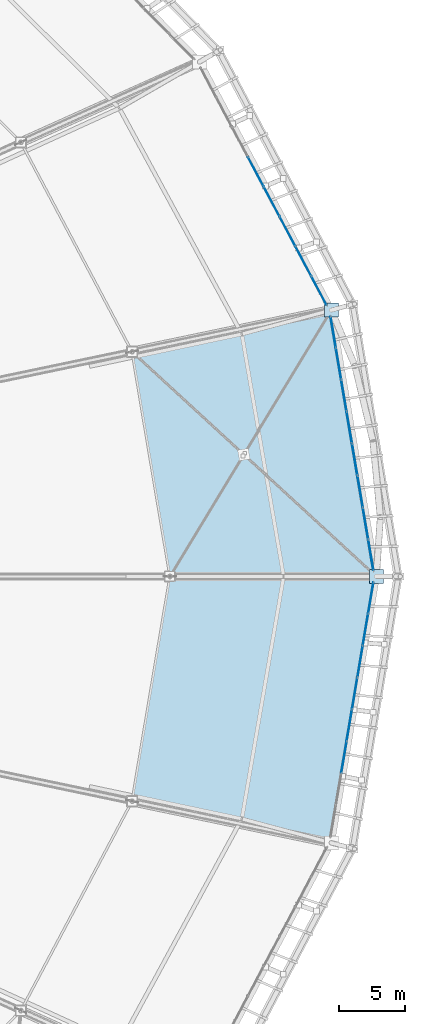
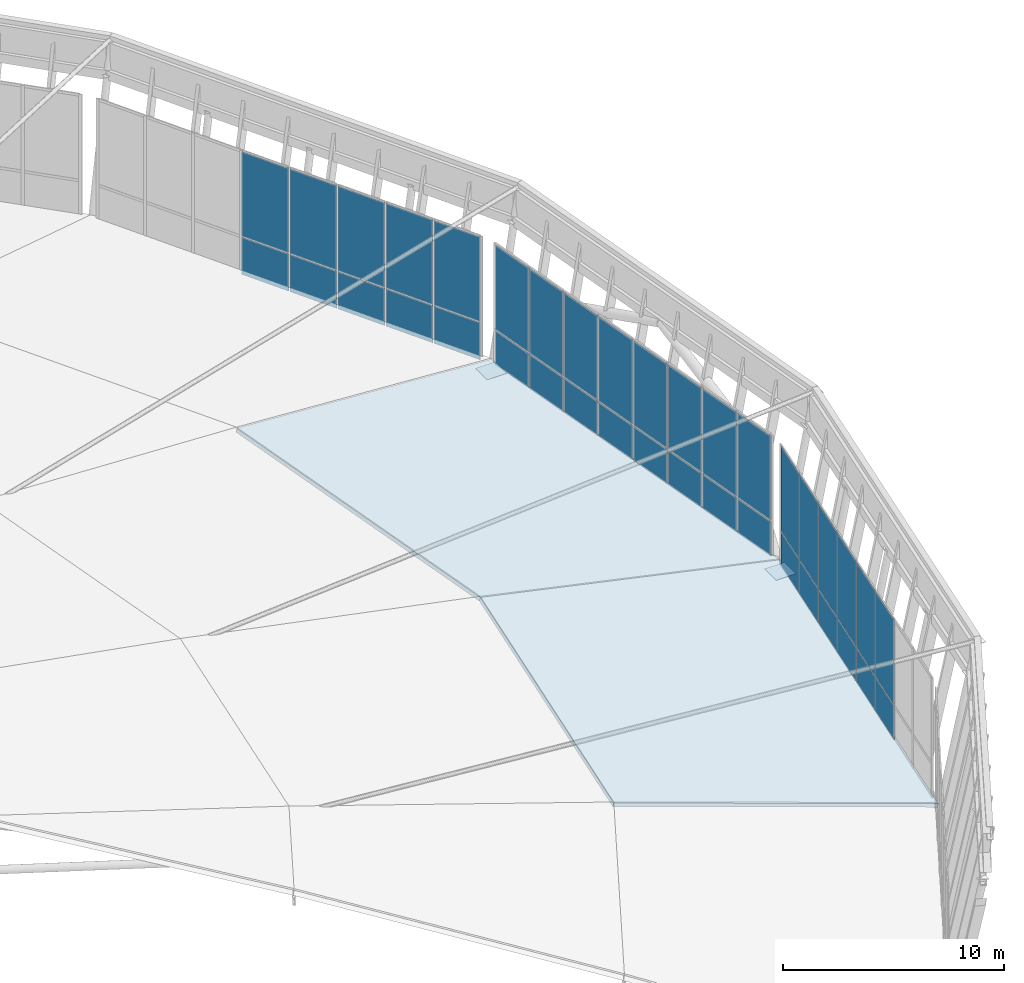
# One storey, part 95 of 115: 40 plates, 2 slabs, 5 elements without a shape of their own.
"""IFC4 building model written with IfcOpenShell, lengths in metres."""

from ifc_helpers import new_model, si_unit, direction, frame, origin, origin_2d, place, context, subcontext, project, spatial, polyline, rectangle, outline, extrude, material, layer, layer_set, type_object, element, aggregate, save


model = new_model("IFC4")

# Units and contexts
model_context = context("Model", 3, precision=1e-05, world=origin(), true_north=direction((0.0, 1.0)))
body_context = subcontext(model_context, "Body", "Model", "MODEL_VIEW")
ifc_project = project(units=[si_unit("LENGTHUNIT", "METRE"), si_unit("AREAUNIT", "SQUARE_METRE"), si_unit("VOLUMEUNIT", "CUBIC_METRE"), si_unit("PLANEANGLEUNIT", "RADIAN"), si_unit("MASSUNIT", "GRAM", prefix="KILO")], contexts=[model_context])

# Site, building, storey
site_placement = place(None, origin())
site = spatial("IfcSite", under=ifc_project, at=site_placement, CompositionType="ELEMENT")
building_placement = place(site_placement, origin())
building = spatial("IfcBuilding", under=site, at=building_placement, Name="Zlatoyarsky Gate Stadium", CompositionType="ELEMENT")
storey_placement = place(building_placement, frame((0.0, 0.0, 31.800048828125)))
storey = spatial("IfcBuildingStorey", under=building, at=storey_placement, Name="RF", CompositionType="ELEMENT", Elevation=31.800048828125)

# Curtain wall, plates
ifc_material_1 = material(Name="Thermally broken anodised aluminium curtain wall", Category="aluminium")
curtain_wall_type_1 = type_object("IfcCurtainWallType", Name="MONUMENTAL ARCHED GATE GLAZING UPPER", PredefinedType="USERDEFINED", material=ifc_material_1)
curtain_wall_1_placement = place(storey_placement, origin())
curtain_wall_1 = element("IfcCurtainWall", 1, at=curtain_wall_1_placement, inside=storey, type_object=curtain_wall_type_1, Name="Curtain wall CW-RF-00", ObjectType="ARCHED GATE GLAZING", PredefinedType="USERDEFINED")
ifc_material_2 = material(Name="Triple-glazed argon low-e architectural glass", Category="glass")
ifc_layer_1 = layer(ifc_material_2, 0.0458984375)
ifc_layer_set_1 = layer_set([ifc_layer_1], Name="Triple-glazed argon low-e architectural glass")
plate_type_1 = type_object("IfcPlateType", Name="ACOUSTIC LAMINATED GATE GLAZING PANEL 46", PredefinedType="CURTAIN_PANEL", material=ifc_layer_set_1)
plate_1_placement = place(storey_placement, frame((210.613525390625, 81.62353515625, 0.074951171875), z_axis=(0.0, 0.0, 1.0), x_axis=(-0.166482179311, 0.986044463486, 0.0)))
plate_1 = element("IfcPlate", 2, at=plate_1_placement, type_object=plate_type_1, Name="CW-AG2 panel 1.1", PredefinedType="CURTAIN_PANEL", context=body_context, shape_type="SweptSolid", body=[
    extrude(rectangle(XDim=2.343017578125, YDim=0.0458984375, at=origin_2d()), origin(), (0.0, 0.0, 1.0), 2.03759765625),
])
plate_2_placement = place(storey_placement, frame((210.613525390625, 81.62353515625, 2.1875), z_axis=(0.0, 0.0, 1.0), x_axis=(-0.166482179311, 0.986044463486, 0.0)))
plate_2 = element("IfcPlate", 3, at=plate_2_placement, type_object=plate_type_1, Name="CW-AG2 panel 1.2", PredefinedType="CURTAIN_PANEL", context=body_context, shape_type="SweptSolid", body=[
    extrude(rectangle(XDim=2.343017578125, YDim=0.0458984375, at=origin_2d()), origin(), (0.0, 0.0, 1.0), 4.637451171875),
])
plate_3_placement = place(storey_placement, frame((210.207763671875, 84.0263671875, 0.074951171875), z_axis=(0.0, 0.0, 1.0), x_axis=(-0.166482179311, 0.986044463486, 0.0)))
plate_3 = element("IfcPlate", 4, at=plate_3_placement, type_object=plate_type_1, Name="CW-AG2 panel 2.1", PredefinedType="CURTAIN_PANEL", context=body_context, shape_type="SweptSolid", body=[
    extrude(rectangle(XDim=2.380615234375, YDim=0.0458984375, at=origin_2d()), origin(), (0.0, 0.0, 1.0), 2.03759765625),
])
plate_4_placement = place(storey_placement, frame((210.207763671875, 84.0263671875, 2.1875), z_axis=(0.0, 0.0, 1.0), x_axis=(-0.166482179311, 0.986044463486, 0.0)))
plate_4 = element("IfcPlate", 5, at=plate_4_placement, type_object=plate_type_1, Name="CW-AG2 panel 2.2", PredefinedType="CURTAIN_PANEL", context=body_context, shape_type="SweptSolid", body=[
    extrude(rectangle(XDim=2.380615234375, YDim=0.0458984375, at=origin_2d()), origin(), (0.0, 0.0, 1.0), 4.637451171875),
])
plate_5_placement = place(storey_placement, frame((209.799072265625, 86.447509765625, 0.074951171875), z_axis=(0.0, 0.0, 1.0), x_axis=(-0.166482179311, 0.986044463486, 0.0)))
plate_5 = element("IfcPlate", 6, at=plate_5_placement, type_object=plate_type_1, Name="CW-AG2 panel 3.1", PredefinedType="CURTAIN_PANEL", context=body_context, shape_type="SweptSolid", body=[
    extrude(rectangle(XDim=2.380615234375, YDim=0.0458984375, at=origin_2d()), origin(), (0.0, 0.0, 1.0), 2.03759765625),
])
plate_6_placement = place(storey_placement, frame((209.799072265625, 86.447509765625, 2.1875), z_axis=(0.0, 0.0, 1.0), x_axis=(-0.166482179311, 0.986044463486, 0.0)))
plate_6 = element("IfcPlate", 7, at=plate_6_placement, type_object=plate_type_1, Name="CW-AG2 panel 3.2", PredefinedType="CURTAIN_PANEL", context=body_context, shape_type="SweptSolid", body=[
    extrude(rectangle(XDim=2.380615234375, YDim=0.0458984375, at=origin_2d()), origin(), (0.0, 0.0, 1.0), 4.637451171875),
])
plate_7_placement = place(storey_placement, frame((209.39013671875, 88.868896484375, 0.074951171875), z_axis=(0.0, 0.0, 1.0), x_axis=(-0.166482179311, 0.986044463486, 0.0)))
plate_7 = element("IfcPlate", 8, at=plate_7_placement, type_object=plate_type_1, Name="CW-AG2 panel 4.1", PredefinedType="CURTAIN_PANEL", context=body_context, shape_type="SweptSolid", body=[
    extrude(rectangle(XDim=2.380615234375, YDim=0.0458984375, at=origin_2d()), origin(), (0.0, 0.0, 1.0), 2.03759765625),
])
plate_8_placement = place(storey_placement, frame((209.39013671875, 88.868896484375, 2.1875), z_axis=(0.0, 0.0, 1.0), x_axis=(-0.166482179311, 0.986044463486, 0.0)))
plate_8 = element("IfcPlate", 9, at=plate_8_placement, type_object=plate_type_1, Name="CW-AG2 panel 4.2", PredefinedType="CURTAIN_PANEL", context=body_context, shape_type="SweptSolid", body=[
    extrude(rectangle(XDim=2.380615234375, YDim=0.0458984375, at=origin_2d()), origin(), (0.0, 0.0, 1.0), 4.637451171875),
])
plate_9_placement = place(storey_placement, frame((208.9814453125, 91.2900390625, 0.074951171875), z_axis=(0.0, 0.0, 1.0), x_axis=(-0.166482179311, 0.986044463486, 0.0)))
plate_9 = element("IfcPlate", 10, at=plate_9_placement, type_object=plate_type_1, Name="CW-AG2 panel 5.1", PredefinedType="CURTAIN_PANEL", context=body_context, shape_type="SweptSolid", body=[
    extrude(rectangle(XDim=2.380615234375, YDim=0.0458984375, at=origin_2d()), origin(), (0.0, 0.0, 1.0), 2.03759765625),
])
plate_10_placement = place(storey_placement, frame((208.9814453125, 91.2900390625, 2.1875), z_axis=(0.0, 0.0, 1.0), x_axis=(-0.166482179311, 0.986044463486, 0.0)))
plate_10 = element("IfcPlate", 11, at=plate_10_placement, type_object=plate_type_1, Name="CW-AG2 panel 5.2", PredefinedType="CURTAIN_PANEL", context=body_context, shape_type="SweptSolid", body=[
    extrude(rectangle(XDim=2.380615234375, YDim=0.0458984375, at=origin_2d()), origin(), (0.0, 0.0, 1.0), 4.637451171875),
])
plate_11_placement = place(storey_placement, frame((208.572509765625, 93.711181640625, 0.074951171875), z_axis=(0.0, 0.0, 1.0), x_axis=(-0.166482179311, 0.986044463486, 0.0)))
plate_11 = element("IfcPlate", 12, at=plate_11_placement, type_object=plate_type_1, Name="CW-AG2 panel 6.1", PredefinedType="CURTAIN_PANEL", context=body_context, shape_type="SweptSolid", body=[
    extrude(rectangle(XDim=2.380615234375, YDim=0.0458984375, at=origin_2d()), origin(), (0.0, 0.0, 1.0), 2.03759765625),
])
plate_12_placement = place(storey_placement, frame((208.572509765625, 93.711181640625, 2.1875), z_axis=(0.0, 0.0, 1.0), x_axis=(-0.166482179311, 0.986044463486, 0.0)))
plate_12 = element("IfcPlate", 13, at=plate_12_placement, type_object=plate_type_1, Name="CW-AG2 panel 6.2", PredefinedType="CURTAIN_PANEL", context=body_context, shape_type="SweptSolid", body=[
    extrude(rectangle(XDim=2.380615234375, YDim=0.0458984375, at=origin_2d()), origin(), (0.0, 0.0, 1.0), 4.637451171875),
])
plate_13_placement = place(storey_placement, frame((208.163818359375, 96.132568359375, 0.074951171875), z_axis=(0.0, 0.0, 1.0), x_axis=(-0.166482179311, 0.986044463486, 0.0)))
plate_13 = element("IfcPlate", 14, at=plate_13_placement, type_object=plate_type_1, Name="CW-AG2 panel 7.1", PredefinedType="CURTAIN_PANEL", context=body_context, shape_type="SweptSolid", body=[
    extrude(rectangle(XDim=2.380615234375, YDim=0.0458984375, at=origin_2d()), origin(), (0.0, 0.0, 1.0), 2.03759765625),
])
plate_14_placement = place(storey_placement, frame((208.163818359375, 96.132568359375, 2.1875), z_axis=(0.0, 0.0, 1.0), x_axis=(-0.166482179311, 0.986044463486, 0.0)))
plate_14 = element("IfcPlate", 15, at=plate_14_placement, type_object=plate_type_1, Name="CW-AG2 panel 7.2", PredefinedType="CURTAIN_PANEL", context=body_context, shape_type="SweptSolid", body=[
    extrude(rectangle(XDim=2.380615234375, YDim=0.0458984375, at=origin_2d()), origin(), (0.0, 0.0, 1.0), 4.637451171875),
])
plate_15_placement = place(storey_placement, frame((207.758056640625, 98.535400390625, 0.074951171875), z_axis=(0.0, 0.0, 1.0), x_axis=(-0.166482179311, 0.986044463486, 0.0)))
plate_15 = element("IfcPlate", 16, at=plate_15_placement, type_object=plate_type_1, Name="CW-AG2 panel 8.1", PredefinedType="CURTAIN_PANEL", context=body_context, shape_type="SweptSolid", body=[
    extrude(rectangle(XDim=2.343017578125, YDim=0.0458984375, at=origin_2d()), origin(), (0.0, 0.0, 1.0), 2.03759765625),
])
plate_16_placement = place(storey_placement, frame((207.758056640625, 98.535400390625, 2.1875), z_axis=(0.0, 0.0, 1.0), x_axis=(-0.166482179311, 0.986044463486, 0.0)))
plate_16 = element("IfcPlate", 17, at=plate_16_placement, type_object=plate_type_1, Name="CW-AG2 panel 8.2", PredefinedType="CURTAIN_PANEL", context=body_context, shape_type="SweptSolid", body=[
    extrude(rectangle(XDim=2.343017578125, YDim=0.0458984375, at=origin_2d()), origin(), (0.0, 0.0, 1.0), 4.637451171875),
])
aggregate(curtain_wall_1, [plate_1, plate_2, plate_3, plate_4, plate_5, plate_6, plate_7, plate_8, plate_9, plate_10, plate_11, plate_12, plate_13, plate_14, plate_15, plate_16])

# Roof, slab
ifc_material_3 = material(Name="Standing-seam aluminium-zinc roofing with mineral wool insulation", Category="aluminium")
ifc_layer_2 = layer(ifc_material_3, 0.080078125)
ifc_layer_set_2 = layer_set([ifc_layer_2], Name="Standing-seam aluminium-zinc roofing with mineral wool insulation")
roof_type = type_object("IfcRoofType", Name="STADIUM BARREL VAULT ROOF ASSEMBLY", PredefinedType="BARREL_ROOF", material=ifc_layer_set_2)
roof_1_placement = place(storey_placement, origin())
roof_1 = element("IfcRoof", 18, at=roof_1_placement, inside=storey, type_object=roof_type, Name="Stadium barrel arch roof sector 1", PredefinedType="BARREL_ROOF")
ifc_material_4 = material(Name="Concrete C40/50", Category="concrete")
ifc_layer_3 = layer(ifc_material_4, 0.199951171875)
ifc_layer_set_3 = layer_set([ifc_layer_3], Name="Concrete C40/50")
slab_type = type_object("IfcSlabType", Name="COMPOSITE STADIUM ROOF DECK SLAB 200", PredefinedType="ROOF", material=ifc_layer_set_3)
slab_1_placement = place(storey_placement, frame((211.027587890625, 80.0, 0.199951171875), z_axis=(0.212232882997, 0.035819109006, 0.97656243774), x_axis=(-0.166422396487, 0.986054555259, 7.26426e-07)))
slab_1 = element("IfcSlab", 19, at=slab_1_placement, type_object=slab_type, Name="Stadium arched roof deck sector 00 bay 1", PredefinedType="ROOF", context=body_context, shape_type="SweptSolid", body=[
    extrude(outline(polyline([(0.0, 0.0), (20.480681111773205, -4.440892098500626e-16), (19.88110507793153, 15.796217675096024), (2.6035622218499994, 15.796345110952627), (0.0, 0.0)])), origin(), (0.0, 0.0, -1.0), 0.199951171875),
])
aggregate(roof_1, [slab_1])

roof_2_placement = place(storey_placement, origin())
roof_2 = element("IfcRoof", 20, at=roof_2_placement, inside=storey, type_object=roof_type, Name="Stadium barrel arch roof sector 8", PredefinedType="BARREL_ROOF")
slab_2_placement = place(storey_placement, frame((207.619140625, 59.804931640625, 0.199951171875), z_axis=(0.212232882997, -0.035819109006, 0.97656243774), x_axis=(0.166422396487, 0.986054555259, -7.26426e-07)))
slab_2 = element("IfcSlab", 21, at=slab_2_placement, type_object=slab_type, Name="Stadium arched roof deck sector 23 bay 1", PredefinedType="ROOF", context=body_context, shape_type="SweptSolid", body=[
    extrude(outline(polyline([(0.0, 0.0), (20.480681111773205, 4.440892098500626e-16), (17.877118889923207, 15.796345110952627), (0.5995760338416769, 15.796217675096022), (0.0, 0.0)])), origin(), (0.0, 0.0, -1.0), 0.199951171875),
])
aggregate(roof_2, [slab_2])

# Plates
ifc_material_5 = material(Name="Steel S355", Category="steel")
ifc_layer_4 = layer(ifc_material_5, 0.02392578125)
ifc_layer_set_4 = layer_set([ifc_layer_4], Name="Steel S355")
plate_type_2 = type_object("IfcPlateType", Name="STEEL COMPRESSION RING NODE CAP SHEET 24", PredefinedType="SHEET", material=ifc_layer_set_4)
for number, where, z_axis, x_axis, name in (
    (22, (211.027587890625, 80.0, -0.4619140625), (0.0, 0.0, 1.0), (1.0, 0.0, 0.0), "Node closure plate ND-CR1 NCAP-CR-00"),
    (23, (207.619140625, 100.195068359375, -0.4619140625), (0.0, 0.0, 1.0), (1.0, 0.0, 0.0), "Node closure plate ND-CR1 NCAP-CR-01"),
):
    element("IfcPlate", number, at=place(storey_placement, frame(where, z_axis=z_axis, x_axis=x_axis)), inside=storey, type_object=plate_type_2, Name=name, PredefinedType="SHEET", context=body_context, shape_type="SweptSolid", body=[
        extrude(rectangle(XDim=1.050048828125, YDim=1.050048828125, at=origin_2d()), origin(), (0.0, 0.0, 1.0), 0.02392578125),
    ])

# Curtain wall, plates
curtain_wall_type_2 = type_object("IfcCurtainWallType", Name="UNITISED SKYBOX RING GLAZING L05", PredefinedType="USERDEFINED", material=ifc_material_1)
curtain_wall_2_placement = place(storey_placement, origin())
curtain_wall_2 = element("IfcCurtainWall", 24, at=curtain_wall_2_placement, inside=storey, type_object=curtain_wall_type_2, Name="Curtain wall CW-RF-01", ObjectType="UNITISED GLAZING", PredefinedType="USERDEFINED")
ifc_layer_5 = layer(ifc_material_2, 0.0380859375)
ifc_layer_set_5 = layer_set([ifc_layer_5], Name="Triple-glazed argon low-e architectural glass")
plate_type_3 = type_object("IfcPlateType", Name="TRIPLE GLAZED LOW E CURTAIN PANEL 38", PredefinedType="CURTAIN_PANEL", material=ifc_layer_set_5)
plate_17_placement = place(storey_placement, frame((206.6884765625, 101.65625, 0.06494140625), z_axis=(0.0, 0.0, 1.0), x_axis=(-0.469126652345, 0.883130898599, 0.0)))
plate_17 = element("IfcPlate", 25, at=plate_17_placement, type_object=plate_type_3, Name="CW-UG5 panel 1.1", PredefinedType="CURTAIN_PANEL", context=body_context, shape_type="SweptSolid", body=[
    extrude(rectangle(XDim=2.46142578125, YDim=0.0380859375, at=origin_2d()), origin(), (0.0, 0.0, 1.0), 2.052490234375),
])
plate_18_placement = place(storey_placement, frame((206.6884765625, 101.65625, 2.1826171875), z_axis=(0.0, 0.0, 1.0), x_axis=(-0.469126652345, 0.883130898599, 0.0)))
plate_18 = element("IfcPlate", 26, at=plate_18_placement, type_object=plate_type_3, Name="CW-UG5 panel 1.2", PredefinedType="CURTAIN_PANEL", context=body_context, shape_type="SweptSolid", body=[
    extrude(rectangle(XDim=2.46142578125, YDim=0.0380859375, at=origin_2d()), origin(), (0.0, 0.0, 1.0), 4.652587890625),
])
plate_19_placement = place(storey_placement, frame((205.49560546875, 103.90185546875, 0.06494140625), z_axis=(0.0, 0.0, 1.0), x_axis=(-0.469126652345, 0.883130898599, 0.0)))
plate_19 = element("IfcPlate", 27, at=plate_19_placement, type_object=plate_type_3, Name="CW-UG5 panel 2.1", PredefinedType="CURTAIN_PANEL", context=body_context, shape_type="SweptSolid", body=[
    extrude(rectangle(XDim=2.493896484375, YDim=0.0380859375, at=origin_2d()), origin(), (0.0, 0.0, 1.0), 2.052490234375),
])
plate_20_placement = place(storey_placement, frame((205.49560546875, 103.90185546875, 2.1826171875), z_axis=(0.0, 0.0, 1.0), x_axis=(-0.469126652345, 0.883130898599, 0.0)))
plate_20 = element("IfcPlate", 28, at=plate_20_placement, type_object=plate_type_3, Name="CW-UG5 panel 2.2", PredefinedType="CURTAIN_PANEL", context=body_context, shape_type="SweptSolid", body=[
    extrude(rectangle(XDim=2.493896484375, YDim=0.0380859375, at=origin_2d()), origin(), (0.0, 0.0, 1.0), 4.652587890625),
])
plate_21_placement = place(storey_placement, frame((204.295166015625, 106.16162109375, 0.06494140625), z_axis=(0.0, 0.0, 1.0), x_axis=(-0.469126652345, 0.883130898599, 0.0)))
plate_21 = element("IfcPlate", 29, at=plate_21_placement, type_object=plate_type_3, Name="CW-UG5 panel 3.1", PredefinedType="CURTAIN_PANEL", context=body_context, shape_type="SweptSolid", body=[
    extrude(rectangle(XDim=2.493896484375, YDim=0.0380859375, at=origin_2d()), origin(), (0.0, 0.0, 1.0), 2.052490234375),
])
plate_22_placement = place(storey_placement, frame((204.295166015625, 106.16162109375, 2.1826171875), z_axis=(0.0, 0.0, 1.0), x_axis=(-0.469126652345, 0.883130898599, 0.0)))
plate_22 = element("IfcPlate", 30, at=plate_22_placement, type_object=plate_type_3, Name="CW-UG5 panel 3.2", PredefinedType="CURTAIN_PANEL", context=body_context, shape_type="SweptSolid", body=[
    extrude(rectangle(XDim=2.493896484375, YDim=0.0380859375, at=origin_2d()), origin(), (0.0, 0.0, 1.0), 4.652587890625),
])
plate_23_placement = place(storey_placement, frame((203.0947265625, 108.42138671875, 0.06494140625), z_axis=(0.0, 0.0, 1.0), x_axis=(-0.469126652345, 0.883130898599, 0.0)))
plate_23 = element("IfcPlate", 31, at=plate_23_placement, type_object=plate_type_3, Name="CW-UG5 panel 4.1", PredefinedType="CURTAIN_PANEL", context=body_context, shape_type="SweptSolid", body=[
    extrude(rectangle(XDim=2.493896484375, YDim=0.0380859375, at=origin_2d()), origin(), (0.0, 0.0, 1.0), 2.052490234375),
])
plate_24_placement = place(storey_placement, frame((203.0947265625, 108.42138671875, 2.1826171875), z_axis=(0.0, 0.0, 1.0), x_axis=(-0.469126652345, 0.883130898599, 0.0)))
plate_24 = element("IfcPlate", 32, at=plate_24_placement, type_object=plate_type_3, Name="CW-UG5 panel 4.2", PredefinedType="CURTAIN_PANEL", context=body_context, shape_type="SweptSolid", body=[
    extrude(rectangle(XDim=2.493896484375, YDim=0.0380859375, at=origin_2d()), origin(), (0.0, 0.0, 1.0), 4.652587890625),
])
plate_25_placement = place(storey_placement, frame((201.894287109375, 110.68115234375, 0.06494140625), z_axis=(0.0, 0.0, 1.0), x_axis=(-0.469126652345, 0.883130898599, 0.0)))
plate_25 = element("IfcPlate", 33, at=plate_25_placement, type_object=plate_type_3, Name="CW-UG5 panel 5.1", PredefinedType="CURTAIN_PANEL", context=body_context, shape_type="SweptSolid", body=[
    extrude(rectangle(XDim=2.493896484375, YDim=0.0380859375, at=origin_2d()), origin(), (0.0, 0.0, 1.0), 2.052490234375),
])
plate_26_placement = place(storey_placement, frame((201.894287109375, 110.68115234375, 2.1826171875), z_axis=(0.0, 0.0, 1.0), x_axis=(-0.469126652345, 0.883130898599, 0.0)))
plate_26 = element("IfcPlate", 34, at=plate_26_placement, type_object=plate_type_3, Name="CW-UG5 panel 5.2", PredefinedType="CURTAIN_PANEL", context=body_context, shape_type="SweptSolid", body=[
    extrude(rectangle(XDim=2.493896484375, YDim=0.0380859375, at=origin_2d()), origin(), (0.0, 0.0, 1.0), 4.652587890625),
])
aggregate(curtain_wall_2, [plate_17, plate_18, plate_19, plate_20, plate_21, plate_22, plate_23, plate_24, plate_25, plate_26])

curtain_wall_3_placement = place(storey_placement, origin())
curtain_wall_3 = element("IfcCurtainWall", 35, at=curtain_wall_3_placement, inside=storey, type_object=curtain_wall_type_2, Name="Curtain wall CW-RF-23", ObjectType="UNITISED GLAZING", PredefinedType="USERDEFINED")
plate_27_placement = place(storey_placement, frame((208.572509765625, 66.288818359375, 0.06494140625), z_axis=(0.0, 0.0, 1.0), x_axis=(0.166482179311, 0.986044463486, 0.0)))
plate_27 = element("IfcPlate", 36, at=plate_27_placement, type_object=plate_type_3, Name="CW-UG5 panel 3.1", PredefinedType="CURTAIN_PANEL", context=body_context, shape_type="SweptSolid", body=[
    extrude(rectangle(XDim=2.390625, YDim=0.0380859375, at=origin_2d()), origin(), (0.0, 0.0, 1.0), 2.052490234375),
])
plate_28_placement = place(storey_placement, frame((208.572509765625, 66.288818359375, 2.1826171875), z_axis=(0.0, 0.0, 1.0), x_axis=(0.166482179311, 0.986044463486, 0.0)))
plate_28 = element("IfcPlate", 37, at=plate_28_placement, type_object=plate_type_3, Name="CW-UG5 panel 3.2", PredefinedType="CURTAIN_PANEL", context=body_context, shape_type="SweptSolid", body=[
    extrude(rectangle(XDim=2.390625, YDim=0.0380859375, at=origin_2d()), origin(), (0.0, 0.0, 1.0), 4.652587890625),
])
plate_29_placement = place(storey_placement, frame((208.9814453125, 68.7099609375, 0.06494140625), z_axis=(0.0, 0.0, 1.0), x_axis=(0.166482179311, 0.986044463486, 0.0)))
plate_29 = element("IfcPlate", 38, at=plate_29_placement, type_object=plate_type_3, Name="CW-UG5 panel 4.1", PredefinedType="CURTAIN_PANEL", context=body_context, shape_type="SweptSolid", body=[
    extrude(rectangle(XDim=2.390625, YDim=0.0380859375, at=origin_2d()), origin(), (0.0, 0.0, 1.0), 2.052490234375),
])
plate_30_placement = place(storey_placement, frame((208.9814453125, 68.7099609375, 2.1826171875), z_axis=(0.0, 0.0, 1.0), x_axis=(0.166482179311, 0.986044463486, 0.0)))
plate_30 = element("IfcPlate", 39, at=plate_30_placement, type_object=plate_type_3, Name="CW-UG5 panel 4.2", PredefinedType="CURTAIN_PANEL", context=body_context, shape_type="SweptSolid", body=[
    extrude(rectangle(XDim=2.390625, YDim=0.0380859375, at=origin_2d()), origin(), (0.0, 0.0, 1.0), 4.652587890625),
])
plate_31_placement = place(storey_placement, frame((209.39013671875, 71.131103515625, 0.06494140625), z_axis=(0.0, 0.0, 1.0), x_axis=(0.166482179311, 0.986044463486, 0.0)))
plate_31 = element("IfcPlate", 40, at=plate_31_placement, type_object=plate_type_3, Name="CW-UG5 panel 5.1", PredefinedType="CURTAIN_PANEL", context=body_context, shape_type="SweptSolid", body=[
    extrude(rectangle(XDim=2.390625, YDim=0.0380859375, at=origin_2d()), origin(), (0.0, 0.0, 1.0), 2.052490234375),
])
plate_32_placement = place(storey_placement, frame((209.39013671875, 71.131103515625, 2.1826171875), z_axis=(0.0, 0.0, 1.0), x_axis=(0.166482179311, 0.986044463486, 0.0)))
plate_32 = element("IfcPlate", 41, at=plate_32_placement, type_object=plate_type_3, Name="CW-UG5 panel 5.2", PredefinedType="CURTAIN_PANEL", context=body_context, shape_type="SweptSolid", body=[
    extrude(rectangle(XDim=2.390625, YDim=0.0380859375, at=origin_2d()), origin(), (0.0, 0.0, 1.0), 4.652587890625),
])
plate_33_placement = place(storey_placement, frame((209.799072265625, 73.552490234375, 0.06494140625), z_axis=(0.0, 0.0, 1.0), x_axis=(0.166482179311, 0.986044463486, 0.0)))
plate_33 = element("IfcPlate", 42, at=plate_33_placement, type_object=plate_type_3, Name="CW-UG5 panel 6.1", PredefinedType="CURTAIN_PANEL", context=body_context, shape_type="SweptSolid", body=[
    extrude(rectangle(XDim=2.390625, YDim=0.0380859375, at=origin_2d()), origin(), (0.0, 0.0, 1.0), 2.052490234375),
])
plate_34_placement = place(storey_placement, frame((209.799072265625, 73.552490234375, 2.1826171875), z_axis=(0.0, 0.0, 1.0), x_axis=(0.166482179311, 0.986044463486, 0.0)))
plate_34 = element("IfcPlate", 43, at=plate_34_placement, type_object=plate_type_3, Name="CW-UG5 panel 6.2", PredefinedType="CURTAIN_PANEL", context=body_context, shape_type="SweptSolid", body=[
    extrude(rectangle(XDim=2.390625, YDim=0.0380859375, at=origin_2d()), origin(), (0.0, 0.0, 1.0), 4.652587890625),
])
plate_35_placement = place(storey_placement, frame((210.207763671875, 75.9736328125, 0.06494140625), z_axis=(0.0, 0.0, 1.0), x_axis=(0.166482179311, 0.986044463486, 0.0)))
plate_35 = element("IfcPlate", 44, at=plate_35_placement, type_object=plate_type_3, Name="CW-UG5 panel 7.1", PredefinedType="CURTAIN_PANEL", context=body_context, shape_type="SweptSolid", body=[
    extrude(rectangle(XDim=2.390625, YDim=0.0380859375, at=origin_2d()), origin(), (0.0, 0.0, 1.0), 2.052490234375),
])
plate_36_placement = place(storey_placement, frame((210.207763671875, 75.9736328125, 2.1826171875), z_axis=(0.0, 0.0, 1.0), x_axis=(0.166482179311, 0.986044463486, 0.0)))
plate_36 = element("IfcPlate", 45, at=plate_36_placement, type_object=plate_type_3, Name="CW-UG5 panel 7.2", PredefinedType="CURTAIN_PANEL", context=body_context, shape_type="SweptSolid", body=[
    extrude(rectangle(XDim=2.390625, YDim=0.0380859375, at=origin_2d()), origin(), (0.0, 0.0, 1.0), 4.652587890625),
])
plate_37_placement = place(storey_placement, frame((210.614013671875, 78.37890625, 0.06494140625), z_axis=(0.0, 0.0, 1.0), x_axis=(0.166482179311, 0.986044463486, 0.0)))
plate_37 = element("IfcPlate", 46, at=plate_37_placement, type_object=plate_type_3, Name="CW-UG5 panel 8.1", PredefinedType="CURTAIN_PANEL", context=body_context, shape_type="SweptSolid", body=[
    extrude(rectangle(XDim=2.35791015625, YDim=0.0380859375, at=origin_2d()), origin(), (0.0, 0.0, 1.0), 2.052490234375),
])
plate_38_placement = place(storey_placement, frame((210.614013671875, 78.37890625, 2.1826171875), z_axis=(0.0, 0.0, 1.0), x_axis=(0.166482179311, 0.986044463486, 0.0)))
plate_38 = element("IfcPlate", 47, at=plate_38_placement, type_object=plate_type_3, Name="CW-UG5 panel 8.2", PredefinedType="CURTAIN_PANEL", context=body_context, shape_type="SweptSolid", body=[
    extrude(rectangle(XDim=2.35791015625, YDim=0.0380859375, at=origin_2d()), origin(), (0.0, 0.0, 1.0), 4.652587890625),
])
aggregate(curtain_wall_3, [plate_27, plate_28, plate_29, plate_30, plate_31, plate_32, plate_33, plate_34, plate_35, plate_36, plate_37, plate_38])

save(model, "model.ifc")
